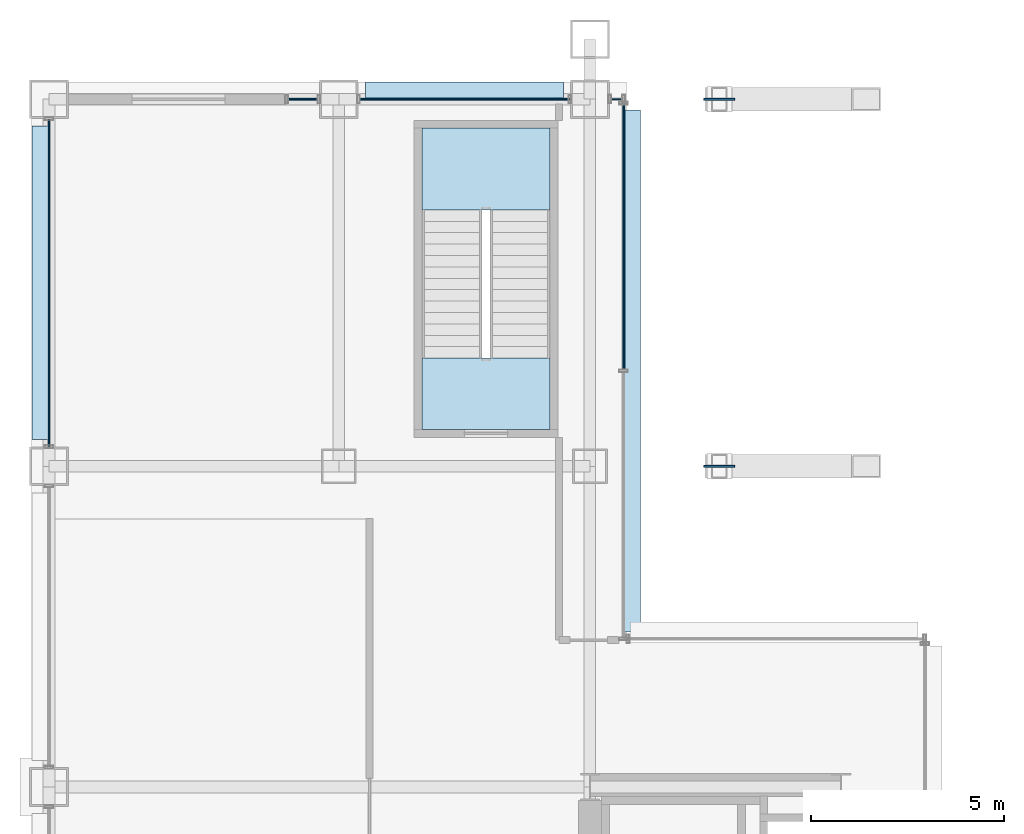
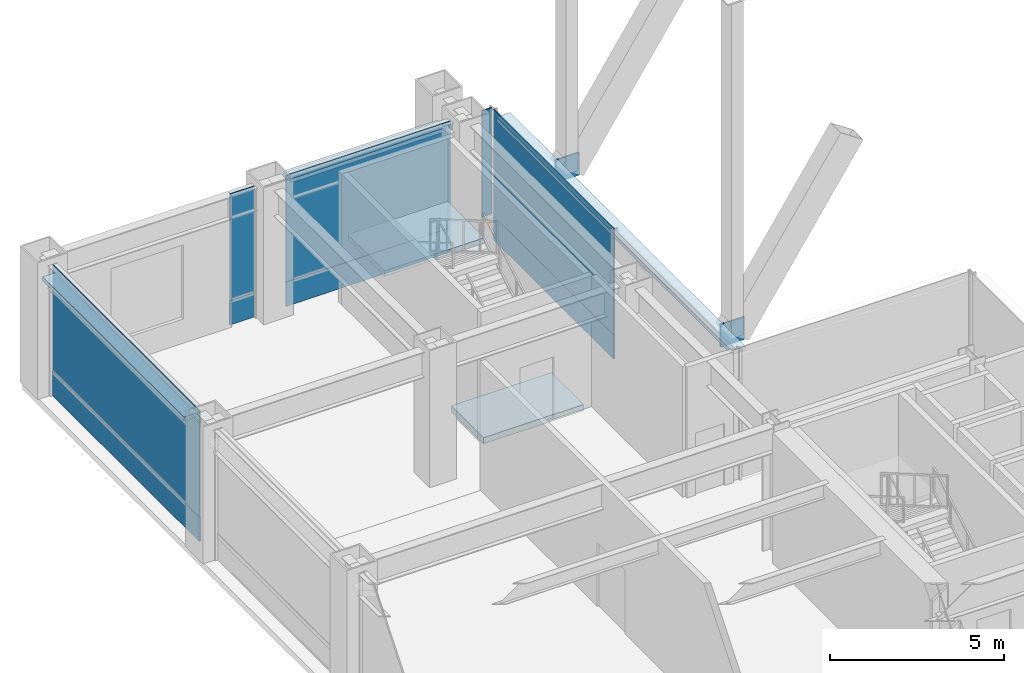
# One storey, part 31 of 40: 14 plates, 2 slabs, 6 elements without a shape of their own.
"""IFC4 building model written with IfcOpenShell, lengths in metres."""

import ifcopenshell
import ifcopenshell.guid

model = None  # the IFC model being written
_history = None  # IfcOwnerHistory: only IFC2X3 demands one
_inside = {}  # id of a spatial element -> (the spatial element, [elements in it])
_under = {}  # id of a project, library or spatial element -> (it, [spatial elements below it])
_declared = {}  # id of a project -> (the project, [libraries it declares])
_typed = {}  # id of a type object -> (the type object, [elements of that type])
_made_of = {}  # id of a material, layer set ... -> (it, [elements and type objects made of it])


def new_model(schema):
    """Start an empty IFC model of exactly this schema.

    Asked for "IFC4X3", IfcOpenShell would pick the latest addendum, in which some entities
    have other attributes; the version numbers below select the first issue.
    IFC2X3 requires an IfcOwnerHistory on every rooted entity: one is made here for all.
    """
    global model, _history
    if schema == "IFC4X3":
        model = ifcopenshell.file(schema_version=(4, 3, 0, 0))
    else:
        model = ifcopenshell.file(schema=schema)
    _inside.clear()
    _under.clear()
    _declared.clear()
    _typed.clear()
    _made_of.clear()
    _history = None
    if model.schema == "IFC2X3":
        org = make("IfcOrganization", Name="unknown")
        user = make(
            "IfcPersonAndOrganization",
            ThePerson=make("IfcPerson", FamilyName="unknown"),
            TheOrganization=org,
        )
        app = make(
            "IfcApplication",
            ApplicationDeveloper=org,
            Version="unknown",
            ApplicationFullName="unknown",
            ApplicationIdentifier="unknown",
        )
        _history = make(
            "IfcOwnerHistory",
            OwningUser=user,
            OwningApplication=app,
            ChangeAction="ADDED",
            CreationDate=0,
        )
    return model


def make(cls, **values):
    """One entity of the class cls with the attributes given. An attribute that is None is left unset."""
    return model.create_entity(
        cls, **{name: value for name, value in values.items() if value is not None}
    )


def rooted(cls, **values):
    """An entity with a GlobalId (a new one), such as an element, a storey or a relation."""
    return make(cls, GlobalId=ifcopenshell.guid.new(), OwnerHistory=_history, **values)


def si_unit(unit_type, name, prefix=None):
    """IfcSIUnit, for example si_unit("LENGTHUNIT", "METRE", prefix="MILLI")."""
    return make("IfcSIUnit", UnitType=unit_type, Prefix=prefix, Name=name)


def assignment(units):
    """IfcUnitAssignment: the units of a project."""
    return None if units is None else make("IfcUnitAssignment", Units=units)


def point(xyz):
    """IfcCartesianPoint."""
    return None if xyz is None else make("IfcCartesianPoint", Coordinates=xyz)


def direction(xyz):
    """IfcDirection."""
    return None if xyz is None else make("IfcDirection", DirectionRatios=xyz)


def frame(location, z_axis=None, x_axis=None):
    """IfcAxis2Placement3D, a coordinate frame: its origin and axes. An axis left out is left unset."""
    return make(
        "IfcAxis2Placement3D",
        Location=point(location),
        Axis=direction(z_axis),
        RefDirection=direction(x_axis),
    )


def frame_2d(location, x_axis=None):
    """IfcAxis2Placement2D, a coordinate frame in the plane: its origin and x axis."""
    return make(
        "IfcAxis2Placement2D", Location=point(location), RefDirection=direction(x_axis)
    )


def origin():
    """The frame at (0, 0, 0) with its axes left unset."""
    return frame((0.0, 0.0, 0.0))


def origin_2d():
    """The frame at (0, 0) in the plane with its x axis left unset."""
    return frame_2d((0.0, 0.0))


def place(relative_to, where):
    """IfcLocalPlacement: puts the frame where relative to a parent placement (None: the world)."""
    return make(
        "IfcLocalPlacement", PlacementRelTo=relative_to, RelativePlacement=where
    )


def context(
    kind, dimensions, precision=None, world=None, true_north=None, identifier=None
):
    """IfcGeometricRepresentationContext, for example the 3D "Model" context."""
    return make(
        "IfcGeometricRepresentationContext",
        ContextIdentifier=identifier,
        ContextType=kind,
        CoordinateSpaceDimension=dimensions,
        Precision=precision,
        WorldCoordinateSystem=world,
        TrueNorth=true_north,
    )


def subcontext(parent, identifier, kind, view, scale=None):
    """IfcGeometricRepresentationSubContext, for example "Body" below "Model"."""
    return make(
        "IfcGeometricRepresentationSubContext",
        ContextIdentifier=identifier,
        ContextType=kind,
        ParentContext=parent,
        TargetScale=scale,
        TargetView=view,
    )


def project(units=None, contexts=None):
    """IfcProject with its units and contexts."""
    return rooted(
        "IfcProject",
        Name="project",
        RepresentationContexts=contexts,
        UnitsInContext=assignment(units),
    )


def spatial(cls, under=None, at=None, **own):
    """A site, building, storey or space (cls), placed at a placement, below another one or the project."""
    s = rooted(cls, ObjectPlacement=at, **own)
    if under is not None:
        _under.setdefault(under.id(), (under, []))[1].append(s)
    return s


def polyline(points):
    """IfcPolyline through the points."""
    return make("IfcPolyline", Points=[point(p) for p in points])


def profile(cls, at=None, kind="AREA", **sizes):
    """A parametric profile (cls). Its sizes go by their IFC names, for example OverallWidth=200.0."""
    return make(cls, ProfileType=kind, Position=at, **sizes)


def rectangle(**sizes):
    """IfcRectangleProfileDef."""
    return profile("IfcRectangleProfileDef", **sizes)


def outline(outer, holes=None, kind="AREA"):
    """IfcArbitraryClosedProfileDef: a profile drawn as a closed curve; with holes, ...WithVoids."""
    if holes is None:
        return make("IfcArbitraryClosedProfileDef", ProfileType=kind, OuterCurve=outer)
    return make(
        "IfcArbitraryProfileDefWithVoids",
        ProfileType=kind,
        OuterCurve=outer,
        InnerCurves=holes,
    )


def extrude(swept, where, along, depth):
    """IfcExtrudedAreaSolid: the profile swept, set in the frame where, extruded along a direction by depth."""
    return make(
        "IfcExtrudedAreaSolid",
        SweptArea=swept,
        Position=where,
        ExtrudedDirection=direction(along),
        Depth=depth,
    )


def shape(context_of_items, identifier, shape_type, items):
    """IfcShapeRepresentation: the items that make up one representation, for example the "Body"."""
    return make(
        "IfcShapeRepresentation",
        ContextOfItems=context_of_items,
        RepresentationIdentifier=identifier,
        RepresentationType=shape_type,
        Items=items,
    )


def material(Name=None, Category=None):
    """IfcMaterial."""
    return make("IfcMaterial", Name=Name, Category=Category)


def layer(
    of_material, thickness, ventilated=None, Name=None, Category=None, Priority=None
):
    """IfcMaterialLayer: one layer of a wall or slab, of a material (None: an air gap)."""
    return make(
        "IfcMaterialLayer",
        Material=of_material,
        LayerThickness=thickness,
        IsVentilated=ventilated,
        Name=Name,
        Category=Category,
        Priority=Priority,
    )


def layer_set(layers, Name=None):
    """IfcMaterialLayerSet."""
    return make("IfcMaterialLayerSet", MaterialLayers=layers, LayerSetName=Name)


def made_of(thing, what):
    """Note that an element or type object is made of a material, layer set ...; save() writes the relation."""
    if what is not None:
        _made_of.setdefault(what.id(), (what, []))[1].append(thing)
    return thing


def type_object(cls, material=None, **own):
    """A type object (cls), such as IfcWallType, which elements share."""
    return made_of(rooted(cls, **own), material)


def element(
    cls,
    number,
    at=None,
    inside=None,
    cuts=None,
    type_object=None,
    material=None,
    context=None,
    identifier="Body",
    shape_type=None,
    held_by="IfcProductDefinitionShape",
    body=None,
    shapes=None,
    **own,
):
    """One element of the class cls, such as IfcWall. Its Tag is "e" and its number.

    at: its placement. inside: the storey or other place that contains it. cuts: it is an
    opening in that element (IfcRelVoidsElement). A single representation is given by context,
    identifier, shape_type and body (its items); several are given by shapes. held_by: the class
    of the entity that holds the representations. save() writes the other relations.
    """
    e = rooted(cls, Tag="e%d" % number, ObjectPlacement=at, **own)
    if body is not None:
        shapes = [shape(context, identifier, shape_type, body)]
    if shapes is not None:
        e.Representation = make(held_by, Representations=shapes)
    if inside is not None:
        _inside.setdefault(inside.id(), (inside, []))[1].append(e)
    if cuts is not None:
        rooted(
            "IfcRelVoidsElement", RelatingBuildingElement=cuts, RelatedOpeningElement=e
        )
    if type_object is not None:
        _typed.setdefault(type_object.id(), (type_object, []))[1].append(e)
    return made_of(e, material)


def aggregate(whole, parts):
    """IfcRelAggregates: a whole, such as a stair, and the parts it consists of."""
    return rooted("IfcRelAggregates", RelatingObject=whole, RelatedObjects=parts)


def save(model, path):
    """Write the relations noted so far, then the file.

    IfcRelAggregates (storeys below a building ...), IfcRelContainedInSpatialStructure (elements
    in a storey), IfcRelDefinesByType, IfcRelAssociatesMaterial and IfcRelDeclares: one each for
    every whole, place, type object, material and project.
    """
    for whole, parts in _under.values():
        aggregate(whole, parts)
    for where, things in _inside.values():
        rooted(
            "IfcRelContainedInSpatialStructure",
            RelatedElements=things,
            RelatingStructure=where,
        )
    for kind, things in _typed.values():
        rooted("IfcRelDefinesByType", RelatedObjects=things, RelatingType=kind)
    for what, things in _made_of.values():
        rooted("IfcRelAssociatesMaterial", RelatedObjects=things, RelatingMaterial=what)
    for by, libraries in _declared.values():
        rooted("IfcRelDeclares", RelatingContext=by, RelatedDefinitions=libraries)
    model.write(path)


model = new_model("IFC4")

# Units and contexts
model_context = context("Model", 3, precision=1e-05, world=origin(), true_north=direction((0.0, 1.0)))
body_context = subcontext(model_context, "Body", "Model", "MODEL_VIEW")
ifc_project = project(units=[si_unit("LENGTHUNIT", "METRE"), si_unit("AREAUNIT", "SQUARE_METRE"), si_unit("VOLUMEUNIT", "CUBIC_METRE"), si_unit("PLANEANGLEUNIT", "RADIAN"), si_unit("MASSUNIT", "GRAM", prefix="KILO")], contexts=[model_context])

# Site, building, storey
site_placement = place(None, origin())
site = spatial("IfcSite", under=ifc_project, at=site_placement, CompositionType="ELEMENT")
building_placement = place(site_placement, origin())
building = spatial("IfcBuilding", under=site, at=building_placement, Name="Brelmoor Portico Tower", CompositionType="ELEMENT")
storey_placement = place(building_placement, frame((0.0, 0.0, 4.800048828125)))
storey = spatial("IfcBuildingStorey", under=building, at=storey_placement, Name="L01", CompositionType="ELEMENT", Elevation=4.800048828125)

# Curtain wall, plate
ifc_material_1 = material(Name="Anodised Aluminium Alloy 6063-T6", Category="aluminium")
ifc_layer_1 = layer(ifc_material_1, 0.179931640625)
ifc_layer_set_1 = layer_set([ifc_layer_1], Name="Anodised Aluminium Alloy 6063-T6")
curtain_wall_type = type_object("IfcCurtainWallType", Name="CW-PODIUM-ARCH", PredefinedType="NOTDEFINED", material=ifc_layer_set_1)
curtain_wall_1_placement = place(storey_placement, origin())
curtain_wall_1 = element("IfcCurtainWall", 1, at=curtain_wall_1_placement, inside=storey, type_object=curtain_wall_type, Name="L01 Curtain Wall CW-L01-03-1", PredefinedType="NOTDEFINED")
ifc_material_2 = material(Name="Double-Silver Low-E Insulated Glazing", Category="glass")
ifc_layer_2 = layer(ifc_material_2, 0.035888671875)
ifc_layer_set_2 = layer_set([ifc_layer_2], Name="Double-Silver Low-E Insulated Glazing")
plate_type_1 = type_object("IfcPlateType", Name="PT-CW-GLASS", PredefinedType="CURTAIN_PANEL", material=ifc_layer_set_2)
plate_1_placement = place(storey_placement, frame((-21.97998046875, 27.550048828125, 0.849853515625), z_axis=(0.0, 0.0, 1.0), x_axis=(1.0, 0.0, 0.0)))
plate_1 = element("IfcPlate", 2, at=plate_1_placement, type_object=plate_type_1, Name="CW-L01-03-1 Vision Glass Panel 00", PredefinedType="CURTAIN_PANEL", context=body_context, shape_type="SweptSolid", body=[
    extrude(rectangle(XDim=0.81005859375, YDim=0.035888671875, at=origin_2d()), origin(), (0.0, 0.0, 1.0), 3.72998046875),
])

curtain_wall_2_placement = place(storey_placement, origin())
curtain_wall_2 = element("IfcCurtainWall", 3, at=curtain_wall_2_placement, inside=storey, type_object=curtain_wall_type, Name="L01 Curtain Wall CW-L01-03-2", PredefinedType="NOTDEFINED")
plate_2_placement = place(storey_placement, frame((-17.800048828125, 27.550048828125, 0.849853515625), z_axis=(0.0, 0.0, 1.0), x_axis=(1.0, 0.0, 0.0)))
plate_2 = element("IfcPlate", 4, at=plate_2_placement, type_object=plate_type_1, Name="CW-L01-03-2 Vision Glass Panel 00", PredefinedType="CURTAIN_PANEL", context=body_context, shape_type="SweptSolid", body=[
    extrude(rectangle(XDim=5.449951171875, YDim=0.035888671875, at=origin_2d()), origin(), (0.0, 0.0, 1.0), 3.72998046875),
])

curtain_wall_3_placement = place(storey_placement, origin())
curtain_wall_3 = element("IfcCurtainWall", 5, at=curtain_wall_3_placement, inside=storey, type_object=curtain_wall_type, Name="L01 Curtain Wall CW-L01-03-3", PredefinedType="NOTDEFINED")
plate_3_placement = place(storey_placement, frame((-13.860107421875, 27.550048828125, 0.849853515625), z_axis=(0.0, 0.0, 1.0), x_axis=(1.0, 0.0, 0.0)))
plate_3 = element("IfcPlate", 6, at=plate_3_placement, type_object=plate_type_1, Name="CW-L01-03-3 Vision Glass Panel 00", PredefinedType="CURTAIN_PANEL", context=body_context, shape_type="SweptSolid", body=[
    extrude(rectangle(XDim=0.330078125, YDim=0.035888671875, at=origin_2d()), origin(), (0.0, 0.0, 1.0), 3.72998046875),
])
aggregate(curtain_wall_3, [plate_3])

curtain_wall_4_placement = place(storey_placement, origin())
curtain_wall_4 = element("IfcCurtainWall", 7, at=curtain_wall_4_placement, inside=storey, type_object=curtain_wall_type, Name="L01 Curtain Wall CW-L01-05-6", PredefinedType="NOTDEFINED")
plate_4_placement = place(storey_placement, frame((-28.550048828125, 22.800048828125, 0.849853515625), z_axis=(0.0, 0.0, 1.0), x_axis=(0.0, 1.0, 0.0)))
plate_4 = element("IfcPlate", 8, at=plate_4_placement, type_object=plate_type_1, Name="CW-L01-05-6 Vision Glass Panel 00", PredefinedType="CURTAIN_PANEL", context=body_context, shape_type="SweptSolid", body=[
    extrude(rectangle(XDim=8.449951171875, YDim=0.035888671875, at=origin_2d()), origin(), (0.0, 0.0, 1.0), 3.72998046875),
])

curtain_wall_5_placement = place(storey_placement, origin())
curtain_wall_5 = element("IfcCurtainWall", 9, at=curtain_wall_5_placement, inside=storey, type_object=curtain_wall_type, Name="L01 Curtain Wall CW-L01-09", PredefinedType="NOTDEFINED")
plate_5_placement = place(storey_placement, frame((-13.679931640625, 23.982421875, 0.849853515625), z_axis=(0.0, 0.0, 1.0), x_axis=(0.0, 1.0, 0.0)))
plate_5 = element("IfcPlate", 10, at=plate_5_placement, type_object=plate_type_1, Name="CW-L01-09 Vision Glass Panel 01", PredefinedType="CURTAIN_PANEL", context=body_context, shape_type="SweptSolid", body=[
    extrude(rectangle(XDim=6.905029296875, YDim=0.035888671875, at=origin_2d()), origin(), (0.0, 0.0, 1.0), 3.72998046875),
])

# Plate
ifc_material_3 = material(Name="Pale Champagne Anodised Aluminium Panel", Category="aluminium")
ifc_layer_3 = layer(ifc_material_3, 0.050048828125)
ifc_layer_set_3 = layer_set([ifc_layer_3], Name="Pale Champagne Anodised Aluminium Panel")
plate_type_2 = type_object("IfcPlateType", Name="PT-CW-SPANDREL", PredefinedType="SHEET", material=ifc_layer_set_3)
plate_6_placement = place(storey_placement, frame((-21.97998046875, 27.550048828125, 0.0), z_axis=(0.0, 0.0, 1.0), x_axis=(1.0, 0.0, 0.0)))
plate_6 = element("IfcPlate", 11, at=plate_6_placement, type_object=plate_type_2, Name="CW-L01-03-1 Spandrel Panel 00", PredefinedType="SHEET", context=body_context, shape_type="SweptSolid", body=[
    extrude(rectangle(XDim=0.81005859375, YDim=0.050048828125, at=origin_2d()), origin(), (0.0, 0.0, 1.0), 0.85009765625),
])

aggregate(curtain_wall_1, [plate_6, plate_1])

plate_7_placement = place(storey_placement, frame((-17.800048828125, 27.550048828125, 0.0), z_axis=(0.0, 0.0, 1.0), x_axis=(1.0, 0.0, 0.0)))
plate_7 = element("IfcPlate", 12, at=plate_7_placement, type_object=plate_type_2, Name="CW-L01-03-2 Spandrel Panel 00", PredefinedType="SHEET", context=body_context, shape_type="SweptSolid", body=[
    extrude(rectangle(XDim=5.449951171875, YDim=0.050048828125, at=origin_2d()), origin(), (0.0, 0.0, 1.0), 0.85009765625),
])

aggregate(curtain_wall_2, [plate_7, plate_2])

plate_8_placement = place(storey_placement, frame((-28.550048828125, 22.800048828125, 0.0), z_axis=(0.0, 0.0, 1.0), x_axis=(0.0, 1.0, 0.0)))
plate_8 = element("IfcPlate", 13, at=plate_8_placement, type_object=plate_type_2, Name="CW-L01-05-6 Spandrel Panel 00", PredefinedType="SHEET", context=body_context, shape_type="SweptSolid", body=[
    extrude(rectangle(XDim=8.449951171875, YDim=0.050048828125, at=origin_2d()), origin(), (0.0, 0.0, 1.0), 0.85009765625),
])

aggregate(curtain_wall_4, [plate_8, plate_4])

plate_9_placement = place(storey_placement, frame((-13.679931640625, 23.982421875, 0.0), z_axis=(0.0, 0.0, 1.0), x_axis=(0.0, 1.0, 0.0)))
plate_9 = element("IfcPlate", 14, at=plate_9_placement, type_object=plate_type_2, Name="CW-L01-09 Spandrel Panel 01", PredefinedType="SHEET", context=body_context, shape_type="SweptSolid", body=[
    extrude(rectangle(XDim=6.905029296875, YDim=0.050048828125, at=origin_2d()), origin(), (0.0, 0.0, 1.0), 0.85009765625),
])

aggregate(curtain_wall_5, [plate_9, plate_5])

# Plates
ifc_material_4 = material(Name="Steel Q355B", Category="steel")
ifc_layer_4 = layer(ifc_material_4, 0.050048828125)
ifc_layer_set_4 = layer_set([ifc_layer_4], Name="Steel Q355B")
plate_type_3 = type_object("IfcPlateType", Name="PT-GUSSET-800", PredefinedType="USERDEFINED", material=ifc_layer_set_4)
for number, where, z_axis, x_axis, name in (
    (15, (-11.199951171875, 18.050048828125, 1.19970703125), (0.0, 0.0, 1.0), (1.0, 0.0, 0.0), "Portico Arch Gusset Plate N2-1"),
    (16, (-11.199951171875, 27.550048828125, 1.19970703125), (0.0, 0.0, 1.0), (1.0, 0.0, 0.0), "Portico Arch Gusset Plate N1-1"),
):
    element("IfcPlate", number, at=place(storey_placement, frame(where, z_axis=z_axis, x_axis=x_axis)), inside=storey, type_object=plate_type_3, Name=name, ObjectType="GUSSET PLATE", PredefinedType="USERDEFINED", context=body_context, shape_type="SweptSolid", body=[
        extrude(rectangle(XDim=0.800048828125, YDim=0.050048828125, at=origin_2d()), origin(), (0.0, 0.0, 1.0), 0.800048828125),
    ])
ifc_material_5 = material(Name="Pale Champagne Perforated Aluminium Solar Screen", Category="aluminium")
ifc_layer_5 = layer(ifc_material_5, 0.054931640625)
ifc_layer_set_5 = layer_set([ifc_layer_5], Name="Pale Champagne Perforated Aluminium Solar Screen")
plate_type_4 = type_object("IfcPlateType", Name="PT-SOLAR-LOUVRE", PredefinedType="SHEET", material=ifc_layer_set_5)
plate_10_placement = place(storey_placement, frame((-17.800048828125, 27.760009765625, 4.27001953125), z_axis=(0.0, 0.0, 1.0), x_axis=(1.0, 0.0, 0.0)))
element("IfcPlate", 17, at=plate_10_placement, inside=storey, type_object=plate_type_4, Name="CW-L01-03-2 Caribbean Brise-Soleil Solar Screen", PredefinedType="SHEET", context=body_context, shape_type="SweptSolid", body=[
    extrude(rectangle(XDim=5.1201171875, YDim=0.4599609375, at=origin_2d()), origin(), (0.0, 0.0, 1.0), 0.139892578125),
])
plate_11_placement = place(storey_placement, frame((-28.760009765625, 22.800048828125, 4.27001953125), z_axis=(0.0, 0.0, 1.0), x_axis=(0.0, 1.0, 0.0)))
element("IfcPlate", 18, at=plate_11_placement, inside=storey, type_object=plate_type_4, Name="CW-L01-05-6 Caribbean Brise-Soleil Solar Screen", PredefinedType="SHEET", context=body_context, shape_type="SweptSolid", body=[
    extrude(rectangle(XDim=8.1201171875, YDim=0.4599609375, at=origin_2d()), origin(), (0.0, 0.0, 1.0), 0.139892578125),
])
plate_12_placement = place(storey_placement, frame((-13.469970703125, 20.514892578125, 4.27001953125), z_axis=(0.0, 0.0, 1.0), x_axis=(0.0, 1.0, 0.0)))
element("IfcPlate", 19, at=plate_12_placement, inside=storey, type_object=plate_type_4, Name="CW-L01-09 Caribbean Brise-Soleil Solar Screen", PredefinedType="SHEET", context=body_context, shape_type="SweptSolid", body=[
    extrude(rectangle(XDim=13.510009765625, YDim=0.4599609375, at=origin_2d()), origin(), (0.0, 0.0, 1.0), 0.139892578125),
])

# Stair, slab
ifc_material_6 = material(Name="Concrete C40", Category="concrete")
stair_type = type_object("IfcStairType", Name="ST-POD-P1", PredefinedType="HALF_TURN_STAIR", material=ifc_material_6)
stair_placement = place(storey_placement, origin())
stair = element("IfcStair", 20, at=stair_placement, inside=storey, type_object=stair_type, Name="L01 Podium Protected Exit Stair ST-P1", PredefinedType="HALF_TURN_STAIR")
ifc_layer_6 = layer(ifc_material_6, 0.179931640625)
ifc_layer_set_6 = layer_set([ifc_layer_6], Name="Concrete C40")
slab_type_1 = type_object("IfcSlabType", Name="SL-LANDING-180", PredefinedType="LANDING", material=ifc_layer_set_6)
slab_1_placement = place(storey_placement, frame((0.0, 0.0, 2.199951171875)))
slab_1 = element("IfcSlab", 21, at=slab_1_placement, type_object=slab_type_1, Name="ST-P1 landing 1", PredefinedType="LANDING", context=body_context, shape_type="SweptSolid", body=[
    extrude(outline(polyline([(-15.580078125, 24.68505859375), (-15.580078125, 26.800048828125), (-18.89990234375, 26.800048828125), (-18.89990234375, 24.68505859375), (-15.580078125, 24.68505859375)])), origin(), (0.0, 0.0, 1.0), 0.199951171875),
])
aggregate(stair, [slab_1])

# Slab
ifc_layer_7 = layer(ifc_material_6, 0.219970703125)
ifc_layer_set_7 = layer_set([ifc_layer_7], Name="Concrete C40")
slab_type_2 = type_object("IfcSlabType", Name="SL-STAIR-FL220", PredefinedType="LANDING", material=ifc_layer_set_7)
slab_2_placement = place(storey_placement, frame((0.0, 0.0, -0.219970703125)))
element("IfcSlab", 22, at=slab_2_placement, inside=storey, type_object=slab_type_2, Name="L01 ST-P1 Structural Floor Landing Slab", PredefinedType="LANDING", context=body_context, shape_type="SweptSolid", body=[
    extrude(outline(polyline([(-15.580078125, 19.0), (-15.580078125, 20.85009765625), (-18.89990234375, 20.85009765625), (-18.89990234375, 19.0), (-15.580078125, 19.0)])), origin(), (0.0, 0.0, 1.0), 0.219970703125),
])

save(model, "model.ifc")
